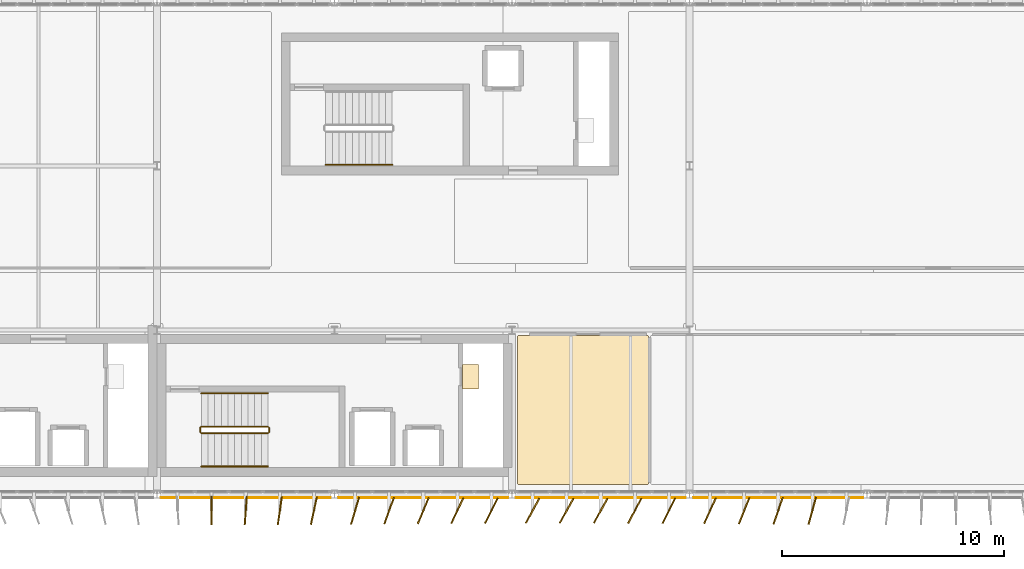
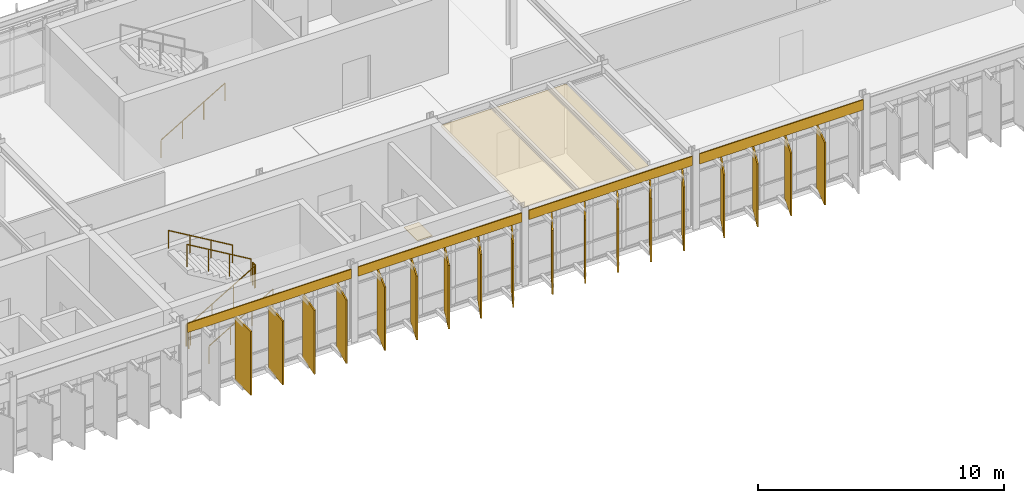
# One storey, part 40 of 45: 24 coverings, 7 railings.
"""IFC4 building model written with IfcOpenShell, lengths in metres."""

from ifc_helpers import new_model, si_unit, direction, frame, frame_2d, origin, origin_2d, place, context, subcontext, project, spatial, polyline, rectangle, circle, outline, extrude, material, layer, layer_set, type_object, element, save


model = new_model("IFC4")

# Units and contexts
model_context = context("Model", 3, precision=1e-05, world=origin(), true_north=direction((0.0, 1.0)))
body_context = subcontext(model_context, "Body", "Model", "MODEL_VIEW")
ifc_project = project(units=[si_unit("LENGTHUNIT", "METRE"), si_unit("AREAUNIT", "SQUARE_METRE"), si_unit("VOLUMEUNIT", "CUBIC_METRE"), si_unit("PLANEANGLEUNIT", "RADIAN"), si_unit("MASSUNIT", "GRAM", prefix="KILO")], contexts=[model_context])

# Site, building, storey
site_placement = place(None, origin())
site = spatial("IfcSite", under=ifc_project, at=site_placement, CompositionType="ELEMENT")
building_placement = place(site_placement, origin())
building = spatial("IfcBuilding", under=site, at=building_placement, Name="Valkorina Park Police Headquarters", CompositionType="ELEMENT")
storey_placement = place(building_placement, frame((0.0, 0.0, 23.300048828125)))
storey = spatial("IfcBuildingStorey", under=building, at=storey_placement, Name="L06", CompositionType="ELEMENT", Elevation=23.300048828125)

# Coverings
ifc_material_1 = material(Name="Acoustic mineral board")
ifc_layer_1 = layer(ifc_material_1, 0.02490234375)
ifc_layer_set_1 = layer_set([ifc_layer_1], Name="Acoustic mineral board")
covering_type_1 = type_object("IfcCoveringType", Name="COV-CEILING-ACOUST", PredefinedType="CEILING", material=ifc_layer_set_1)
covering_1_placement = place(storey_placement, frame((0.0, 0.0, 3.385009765625)))
element("IfcCovering", 1, at=covering_1_placement, inside=storey, type_object=covering_type_1, Name="L06 Accessible WC Acoustic Suspended Ceiling", PredefinedType="CEILING", context=body_context, shape_type="SweptSolid", body=[
    extrude(outline(polyline([(54.8955078125, 44.158447265625), (54.8876953125, 44.15966796875), (54.8798828125, 44.159912109375), (49.1201171875, 44.159912109375), (49.1123046875, 44.15966796875), (49.1044921875, 44.158447265625), (49.0966796875, 44.156494140625), (49.08935546875, 44.15380859375), (49.082275390625, 44.150634765625), (49.07568359375, 44.146484375), (49.069091796875, 44.141845703125), (49.0634765625, 44.13671875), (49.05810546875, 44.130859375), (49.053466796875, 44.12451171875), (49.04931640625, 44.11767578125), (49.046142578125, 44.110595703125), (49.04345703125, 44.103271484375), (49.04150390625, 44.095703125), (49.040283203125, 44.087890625), (49.0400390625, 44.080078125), (49.0400390625, 37.52001953125), (49.040283203125, 37.51220703125), (49.04150390625, 37.50439453125), (49.04345703125, 37.496826171875), (49.046142578125, 37.489501953125), (49.04931640625, 37.482421875), (49.053466796875, 37.4755859375), (49.05810546875, 37.46923828125), (49.0634765625, 37.46337890625), (49.069091796875, 37.458251953125), (49.07568359375, 37.45361328125), (49.082275390625, 37.449462890625), (49.08935546875, 37.446044921875), (49.0966796875, 37.443359375), (49.1044921875, 37.44140625), (49.1123046875, 37.4404296875), (49.1201171875, 37.43994140625), (54.8798828125, 37.43994140625), (54.8876953125, 37.4404296875), (54.8955078125, 37.44140625), (54.9033203125, 37.443359375), (54.91064453125, 37.446044921875), (54.917724609375, 37.449462890625), (54.92431640625, 37.45361328125), (54.930908203125, 37.458251953125), (54.9365234375, 37.46337890625), (54.94189453125, 37.46923828125), (54.946533203125, 37.4755859375), (54.95068359375, 37.482421875), (54.953857421875, 37.489501953125), (54.95654296875, 37.496826171875), (54.95849609375, 37.50439453125), (54.959716796875, 37.51220703125), (54.9599609375, 37.52001953125), (54.9599609375, 44.080078125), (54.959716796875, 44.087890625), (54.95849609375, 44.095703125), (54.95654296875, 44.103271484375), (54.953857421875, 44.110595703125), (54.95068359375, 44.11767578125), (54.946533203125, 44.12451171875), (54.94189453125, 44.130859375), (54.9365234375, 44.13671875), (54.930908203125, 44.141845703125), (54.92431640625, 44.146484375), (54.917724609375, 44.150634765625), (54.91064453125, 44.15380859375), (54.9033203125, 44.156494140625), (54.8955078125, 44.158447265625)])), origin(), (0.0, 0.0, 1.0), 0.02490234375),
])
ifc_material_2 = material(Name="Precast concrete C40/50", Category="concrete")
ifc_layer_2 = layer(ifc_material_2, 0.044921875)
ifc_layer_set_2 = layer_set([ifc_layer_2], Name="Precast concrete C40/50")
covering_type_2 = type_object("IfcCoveringType", Name="COV-CLAD-DOLOMITE", PredefinedType="CLADDING", material=ifc_layer_set_2)
covering_2_placement = place(storey_placement, frame((64.639892578125, 36.840087890625, 3.169921875), z_axis=(0.0, 0.0, 1.0), x_axis=(-1.0, 0.0, 0.0)))
element("IfcCovering", 2, at=covering_2_placement, inside=storey, type_object=covering_type_2, Name="L06 Spandrel Beam Insulated Fascia 2544", PredefinedType="CLADDING", context=body_context, shape_type="SweptSolid", body=[
    extrude(rectangle(XDim=7.679931640625, YDim=0.044921875, at=frame_2d((3.83984375, 0.0))), origin(), (0.0, 0.0, 1.0), 0.510009765625),
])
for number, where, z_axis, x_axis, name in (
    (3, (56.639892578125, 36.840087890625, 3.219970703125), (0.0, 0.0, 1.0), (-1.0, 0.0, 0.0), "L06 Spandrel Beam Insulated Fascia 2545"),
    (4, (48.639892578125, 36.840087890625, 3.219970703125), (0.0, 0.0, 1.0), (-1.0, 0.0, 0.0), "L06 Spandrel Beam Insulated Fascia 2546"),
    (5, (40.639892578125, 36.840087890625, 3.219970703125), (0.0, 0.0, 1.0), (-1.0, 0.0, 0.0), "L06 Spandrel Beam Insulated Fascia 2547"),
):
    element("IfcCovering", number, at=place(storey_placement, frame(where, z_axis=z_axis, x_axis=x_axis)), inside=storey, type_object=covering_type_2, Name=name, PredefinedType="CLADDING", context=body_context, shape_type="SweptSolid", body=[
        extrude(rectangle(XDim=7.679931640625, YDim=0.044921875, at=frame_2d((3.83984375, 0.0))), origin(), (0.0, 0.0, 1.0), 0.4599609375),
    ])
ifc_material_3 = material(Name="Resin terrazzo flooring")
ifc_layer_3 = layer(ifc_material_3, 0.030029296875)
ifc_layer_set_3 = layer_set([ifc_layer_3], Name="Resin terrazzo flooring")
covering_type_3 = type_object("IfcCoveringType", Name="COV-FLOOR-TERRAZZO", PredefinedType="FLOORING", material=ifc_layer_set_3)
covering_3_placement = place(storey_placement, origin())
element("IfcCovering", 6, at=covering_3_placement, inside=storey, type_object=covering_type_3, Name="Core C2 L06 Riser Inspection Threshold Grate", PredefinedType="FLOORING", context=body_context, shape_type="SweptSolid", body=[
    extrude(outline(polyline([(47.280029296875, 41.75), (47.280029296875, 42.85009765625), (46.580078125, 42.85009765625), (46.580078125, 41.75), (47.280029296875, 41.75)])), origin(), (0.0, 0.0, 1.0), 0.030029296875),
])

# Railings
ifc_material_4 = material(Name="Stainless steel EN 1.4404", Category="steel")
railing_type_1 = type_object("IfcRailingType", Name="RL-GUARD-INT-1100", PredefinedType="BALUSTRADE", material=ifc_material_4)
railing_1_placement = place(storey_placement, frame((34.800048828125, 39.75, 0.17724609375)))
element("IfcRailing", 7, at=railing_1_placement, inside=storey, type_object=railing_type_1, Name="L06 Core C2 Stair Guard 1", PredefinedType="BALUSTRADE", context=body_context, shape_type="SweptSolid", body=[
    extrude(circle(Radius=0.02392578125, at=origin_2d()), frame((0.0, 0.0, 1.09619140625), z_axis=(0.86092931783, 0.0, 0.508724591208), x_axis=(0.0, 1.0, 0.0)), (0.0, 0.0, 1.0), 3.484619140625),
    extrude(circle(Radius=0.02099609375, at=origin_2d()), origin(), (0.0, 0.0, 1.0), 1.072021484375),
    extrude(circle(Radius=0.02099609375, at=origin_2d()), frame((1.0, 0.0, 0.5908203125)), (0.0, 0.0, 1.0), 1.072021484375),
    extrude(circle(Radius=0.02099609375, at=origin_2d()), frame((2.0, 0.0, 1.181884765625)), (0.0, 0.0, 1.0), 1.072021484375),
    extrude(circle(Radius=0.02099609375, at=origin_2d()), frame((3.0, 0.0, 1.772705078125)), (0.0, 0.0, 1.0), 1.072021484375),
])
railing_2_placement = place(storey_placement, frame((37.85009765625, 39.800048828125, 1.949951171875)))
element("IfcRailing", 8, at=railing_2_placement, inside=storey, type_object=railing_type_1, Name="L06 Core C2 Stair Guard 2", PredefinedType="BALUSTRADE", context=body_context, shape_type="SweptSolid", body=[
    extrude(circle(Radius=0.02392578125, at=origin_2d()), frame((0.0, 0.0, 1.09619140625), z_axis=(0.0, 1.0, 0.0), x_axis=(-1.0, 0.0, 0.0)), (0.0, 0.0, 1.0), 0.199951171875),
    extrude(circle(Radius=0.02099609375, at=origin_2d()), origin(), (0.0, 0.0, 1.0), 1.072021484375),
    extrude(circle(Radius=0.02099609375, at=origin_2d()), frame((0.0, 0.199951171875, 0.0)), (0.0, 0.0, 1.0), 1.072021484375),
])
railing_3_placement = place(storey_placement, frame((37.800048828125, 40.050048828125, 2.127197265625)))
element("IfcRailing", 9, at=railing_3_placement, inside=storey, type_object=railing_type_1, Name="L06 Core C2 Stair Guard 3", PredefinedType="BALUSTRADE", context=body_context, shape_type="SweptSolid", body=[
    extrude(circle(Radius=0.02392578125, at=origin_2d()), frame((0.0, 0.0, 1.09619140625), z_axis=(-0.86092931783, 0.0, 0.508724591208), x_axis=(0.0, -1.0, 0.0)), (0.0, 0.0, 1.0), 3.484619140625),
    extrude(circle(Radius=0.02099609375, at=origin_2d()), origin(), (0.0, 0.0, 1.0), 1.072021484375),
    extrude(circle(Radius=0.02099609375, at=origin_2d()), frame((-1.0, 0.0, 0.5908203125)), (0.0, 0.0, 1.0), 1.072021484375),
    extrude(circle(Radius=0.02099609375, at=origin_2d()), frame((-2.0, 0.0, 1.181884765625)), (0.0, 0.0, 1.0), 1.072021484375),
    extrude(circle(Radius=0.02099609375, at=origin_2d()), frame((-3.0, 0.0, 1.772705078125)), (0.0, 0.0, 1.0), 1.072021484375),
])
railing_4_placement = place(storey_placement, frame((34.75, 39.800048828125, 0.0)))
element("IfcRailing", 10, at=railing_4_placement, inside=storey, type_object=railing_type_1, Name="L06 Core C2 Stair Guard 4", PredefinedType="BALUSTRADE", context=body_context, shape_type="SweptSolid", body=[
    extrude(circle(Radius=0.02392578125, at=origin_2d()), frame((0.0, 0.0, 1.09619140625), z_axis=(0.0, 1.0, 0.0), x_axis=(-1.0, 0.0, 0.0)), (0.0, 0.0, 1.0), 0.199951171875),
    extrude(circle(Radius=0.02099609375, at=origin_2d()), origin(), (0.0, 0.0, 1.0), 1.072021484375),
    extrude(circle(Radius=0.02099609375, at=origin_2d()), frame((0.0, 0.199951171875, 0.0)), (0.0, 0.0, 1.0), 1.072021484375),
])
railing_type_2 = type_object("IfcRailingType", Name="RL-HANDRAIL-900", PredefinedType="HANDRAIL", material=ifc_material_4)
railing_5_placement = place(storey_placement, frame((34.800048828125, 38.25, 0.17724609375)))
element("IfcRailing", 11, at=railing_5_placement, inside=storey, type_object=railing_type_2, Name="L06 Core C2 Stair Handrail 1", PredefinedType="HANDRAIL", context=body_context, shape_type="SweptSolid", body=[
    extrude(circle(Radius=0.02392578125, at=origin_2d()), frame((0.0, 0.0, 0.8759765625), z_axis=(0.86092931783, 0.0, 0.508724591208), x_axis=(0.0, 1.0, 0.0)), (0.0, 0.0, 1.0), 3.484619140625),
    extrude(circle(Radius=0.02099609375, at=origin_2d()), origin(), (0.0, 0.0, 1.0), 0.851806640625),
    extrude(circle(Radius=0.02099609375, at=origin_2d()), frame((1.0, 0.0, 0.5908203125)), (0.0, 0.0, 1.0), 0.851806640625),
    extrude(circle(Radius=0.02099609375, at=origin_2d()), frame((2.0, 0.0, 1.181884765625)), (0.0, 0.0, 1.0), 0.851806640625),
    extrude(circle(Radius=0.02099609375, at=origin_2d()), frame((3.0, 0.0, 1.772705078125)), (0.0, 0.0, 1.0), 0.851806640625),
])
railing_6_placement = place(storey_placement, frame((37.800048828125, 41.550048828125, 2.127197265625)))
element("IfcRailing", 12, at=railing_6_placement, inside=storey, type_object=railing_type_2, Name="L06 Core C2 Stair Handrail 2", PredefinedType="HANDRAIL", context=body_context, shape_type="SweptSolid", body=[
    extrude(circle(Radius=0.02392578125, at=origin_2d()), frame((0.0, 0.0, 0.8759765625), z_axis=(-0.86092931783, 0.0, 0.508724591208), x_axis=(0.0, -1.0, 0.0)), (0.0, 0.0, 1.0), 3.484619140625),
    extrude(circle(Radius=0.02099609375, at=origin_2d()), origin(), (0.0, 0.0, 1.0), 0.851806640625),
    extrude(circle(Radius=0.02099609375, at=origin_2d()), frame((-1.0, 0.0, 0.5908203125)), (0.0, 0.0, 1.0), 0.851806640625),
    extrude(circle(Radius=0.02099609375, at=origin_2d()), frame((-2.0, 0.0, 1.181884765625)), (0.0, 0.0, 1.0), 0.851806640625),
    extrude(circle(Radius=0.02099609375, at=origin_2d()), frame((-3.0, 0.0, 1.772705078125)), (0.0, 0.0, 1.0), 0.851806640625),
])
railing_7_placement = place(storey_placement, frame((40.39990234375, 51.85009765625, 0.17724609375)))
element("IfcRailing", 13, at=railing_7_placement, inside=storey, type_object=railing_type_2, Name="L06 Core C3 Stair Handrail 1", PredefinedType="HANDRAIL", context=body_context, shape_type="SweptSolid", body=[
    extrude(circle(Radius=0.02392578125, at=origin_2d()), frame((0.0, 0.0, 0.8759765625), z_axis=(0.86092931783, 0.0, 0.508724591208), x_axis=(0.0, 1.0, 0.0)), (0.0, 0.0, 1.0), 3.484619140625),
    extrude(circle(Radius=0.02099609375, at=origin_2d()), origin(), (0.0, 0.0, 1.0), 0.851806640625),
    extrude(circle(Radius=0.02099609375, at=origin_2d()), frame((1.0, 0.0, 0.5908203125)), (0.0, 0.0, 1.0), 0.851806640625),
    extrude(circle(Radius=0.02099609375, at=origin_2d()), frame((2.0, 0.0, 1.181884765625)), (0.0, 0.0, 1.0), 0.851806640625),
    extrude(circle(Radius=0.02099609375, at=origin_2d()), frame((3.0, 0.0, 1.772705078125)), (0.0, 0.0, 1.0), 0.851806640625),
])

# Coverings
ifc_material_5 = material(Name="Polychrome anodized aluminium - Baltic Amber", Category="aluminium")
ifc_layer_4 = layer(ifc_material_5, 0.06494140625)
ifc_layer_set_4 = layer_set([ifc_layer_4], Name="Polychrome anodized aluminium - Baltic Amber")
covering_type_4 = type_object("IfcCoveringType", Name="SHD-LOUVRE-AMBER", PredefinedType="CLADDING", material=ifc_layer_set_4)
covering_4_placement = place(storey_placement, frame((59.263916015625, 36.260009765625, 0.0400390625), z_axis=(0.0, 0.0, 1.0), x_axis=(-0.374606593416, -0.927183854567, 0.0)))
element("IfcCovering", 14, at=covering_4_placement, inside=storey, type_object=covering_type_4, Name="V5 Polychrome Pivoting Louvre 0424", PredefinedType="CLADDING", context=body_context, shape_type="SweptSolid", body=[
    extrude(rectangle(XDim=1.280029296875, YDim=0.06494140625, at=origin_2d()), origin(), (0.0, 0.0, 1.0), 3.110107421875),
])
for number, where, z_axis, x_axis, name in (
    (15, (52.800048828125, 36.260009765625, 0.0400390625), (0.0, 0.0, 1.0), (-0.482823924874, -0.875717453046, 0.0), "V5 Polychrome Pivoting Louvre 0428"),
    (16, (46.3359375, 36.260009765625, 0.0400390625), (0.0, 0.0, 1.0), (-0.425621362969, -0.90490135119, 0.0), "V5 Polychrome Pivoting Louvre 0432"),
    (17, (39.8720703125, 36.260009765625, 0.0400390625), (0.0, 0.0, 1.0), (-0.213030386275, -0.977045574435, 0.0), "V5 Polychrome Pivoting Louvre 0436"),
):
    element("IfcCovering", number, at=place(storey_placement, frame(where, z_axis=z_axis, x_axis=x_axis)), inside=storey, type_object=covering_type_4, Name=name, PredefinedType="CLADDING", context=body_context, shape_type="SweptSolid", body=[
        extrude(rectangle(XDim=1.280029296875, YDim=0.06494140625, at=origin_2d()), origin(), (0.0, 0.0, 1.0), 3.159912109375),
    ])
ifc_material_6 = material(Name="Polychrome anodized aluminium - Riga Ochre", Category="aluminium")
ifc_layer_5 = layer(ifc_material_6, 0.06494140625)
ifc_layer_set_5 = layer_set([ifc_layer_5], Name="Polychrome anodized aluminium - Riga Ochre")
covering_type_5 = type_object("IfcCoveringType", Name="SHD-LOUVRE-OCHRE", PredefinedType="CLADDING", material=ifc_layer_set_5)
covering_5_placement = place(storey_placement, frame((62.3359375, 36.260009765625, 0.0400390625), z_axis=(0.0, 0.0, 1.0), x_axis=(-0.269592169347, -0.962974590644, 0.0)))
element("IfcCovering", 18, at=covering_5_placement, inside=storey, type_object=covering_type_5, Name="V5 Polychrome Pivoting Louvre 0422", PredefinedType="CLADDING", context=body_context, shape_type="SweptSolid", body=[
    extrude(rectangle(XDim=1.280029296875, YDim=0.06494140625, at=origin_2d()), origin(), (0.0, 0.0, 1.0), 3.110107421875),
])
for number, where, z_axis, x_axis, name in (
    (19, (55.8720703125, 36.260009765625, 0.0400390625), (0.0, 0.0, 1.0), (-0.451656296979, -0.89219201375, 0.0), "V5 Polychrome Pivoting Louvre 0426"),
    (20, (49.72802734375, 36.260009765625, 0.0400390625), (0.0, 0.0, 1.0), (-0.476238203668, -0.879316310191, 0.0), "V5 Polychrome Pivoting Louvre 0430"),
    (21, (43.263916015625, 36.260009765625, 0.0400390625), (0.0, 0.0, 1.0), (-0.341856130815, -0.939752300249, 0.0), "V5 Polychrome Pivoting Louvre 0434"),
    (22, (36.800048828125, 36.260009765625, 0.0400390625), (0.0, 0.0, 1.0), (-0.073760379704, -0.997275993086, 0.0), "V5 Polychrome Pivoting Louvre 0438"),
):
    element("IfcCovering", number, at=place(storey_placement, frame(where, z_axis=z_axis, x_axis=x_axis)), inside=storey, type_object=covering_type_5, Name=name, PredefinedType="CLADDING", context=body_context, shape_type="SweptSolid", body=[
        extrude(rectangle(XDim=1.280029296875, YDim=0.06494140625, at=origin_2d()), origin(), (0.0, 0.0, 1.0), 3.159912109375),
    ])
ifc_material_7 = material(Name="Polychrome anodized aluminium - Courland Slate Blue", Category="masonry")
ifc_layer_6 = layer(ifc_material_7, 0.06494140625)
ifc_layer_set_6 = layer_set([ifc_layer_6], Name="Polychrome anodized aluminium - Courland Slate Blue")
covering_type_6 = type_object("IfcCoveringType", Name="SHD-LOUVRE-SLATE", PredefinedType="CLADDING", material=ifc_layer_set_6)
covering_6_placement = place(storey_placement, frame((60.800048828125, 36.260009765625, 0.0400390625), z_axis=(0.0, 0.0, 1.0), x_axis=(-0.325898182861, -0.945404873273, 0.0)))
element("IfcCovering", 23, at=covering_6_placement, inside=storey, type_object=covering_type_6, Name="V5 Polychrome Pivoting Louvre 0423", PredefinedType="CLADDING", context=body_context, shape_type="SweptSolid", body=[
    extrude(rectangle(XDim=1.280029296875, YDim=0.06494140625, at=origin_2d()), origin(), (0.0, 0.0, 1.0), 3.110107421875),
])
for number, where, z_axis, x_axis, name in (
    (24, (54.3359375, 36.260009765625, 0.0400390625), (0.0, 0.0, 1.0), (-0.471935383883, -0.881633139939, 0.0), "V5 Polychrome Pivoting Louvre 0427"),
    (25, (47.8720703125, 36.260009765625, 0.0400390625), (0.0, 0.0, 1.0), (-0.454146002799, -0.890927274328, 0.0), "V5 Polychrome Pivoting Louvre 0431"),
    (26, (41.72802734375, 36.260009765625, 0.0400390625), (0.0, 0.0, 1.0), (-0.28769484546, -0.957722128749, 0.0), "V5 Polychrome Pivoting Louvre 0435"),
    (27, (35.263916015625, 36.260009765625, 0.0400390625), (0.0, 0.0, 1.0), (-0.000174532924, -0.999999984769, 0.0), "V5 Polychrome Pivoting Louvre 0439"),
):
    element("IfcCovering", number, at=place(storey_placement, frame(where, z_axis=z_axis, x_axis=x_axis)), inside=storey, type_object=covering_type_6, Name=name, PredefinedType="CLADDING", context=body_context, shape_type="SweptSolid", body=[
        extrude(rectangle(XDim=1.280029296875, YDim=0.06494140625, at=origin_2d()), origin(), (0.0, 0.0, 1.0), 3.159912109375),
    ])
ifc_material_8 = material(Name="Polychrome anodized aluminium - Pine Verdigris", Category="aluminium")
ifc_layer_7 = layer(ifc_material_8, 0.06494140625)
ifc_layer_set_7 = layer_set([ifc_layer_7], Name="Polychrome anodized aluminium - Pine Verdigris")
covering_type_7 = type_object("IfcCoveringType", Name="SHD-LOUVRE-VERDIGRIS", PredefinedType="CLADDING", material=ifc_layer_set_7)
covering_7_placement = place(storey_placement, frame((57.72802734375, 36.260009765625, 0.0400390625), z_axis=(0.0, 0.0, 1.0), x_axis=(-0.41501085379, -0.909816460192, 0.0)))
element("IfcCovering", 28, at=covering_7_placement, inside=storey, type_object=covering_type_7, Name="V5 Polychrome Pivoting Louvre 0425", PredefinedType="CLADDING", context=body_context, shape_type="SweptSolid", body=[
    extrude(rectangle(XDim=1.280029296875, YDim=0.06494140625, at=origin_2d()), origin(), (0.0, 0.0, 1.0), 3.110107421875),
])
for number, where, z_axis, x_axis, name in (
    (29, (51.263916015625, 36.260009765625, 0.0400390625), (0.0, 0.0, 1.0), (-0.484198902407, -0.874957954937, 0.0), "V5 Polychrome Pivoting Louvre 0429"),
    (30, (44.800048828125, 36.260009765625, 0.0400390625), (0.0, 0.0, 1.0), (-0.387998219728, -0.921660122544, 0.0), "V5 Polychrome Pivoting Louvre 0433"),
    (31, (38.3359375, 36.260009765625, 0.0400390625), (0.0, 0.0, 1.0), (-0.145219670077, -0.989399437751, 0.0), "V5 Polychrome Pivoting Louvre 0437"),
):
    element("IfcCovering", number, at=place(storey_placement, frame(where, z_axis=z_axis, x_axis=x_axis)), inside=storey, type_object=covering_type_7, Name=name, PredefinedType="CLADDING", context=body_context, shape_type="SweptSolid", body=[
        extrude(rectangle(XDim=1.280029296875, YDim=0.06494140625, at=origin_2d()), origin(), (0.0, 0.0, 1.0), 3.159912109375),
    ])

save(model, "model.ifc")
